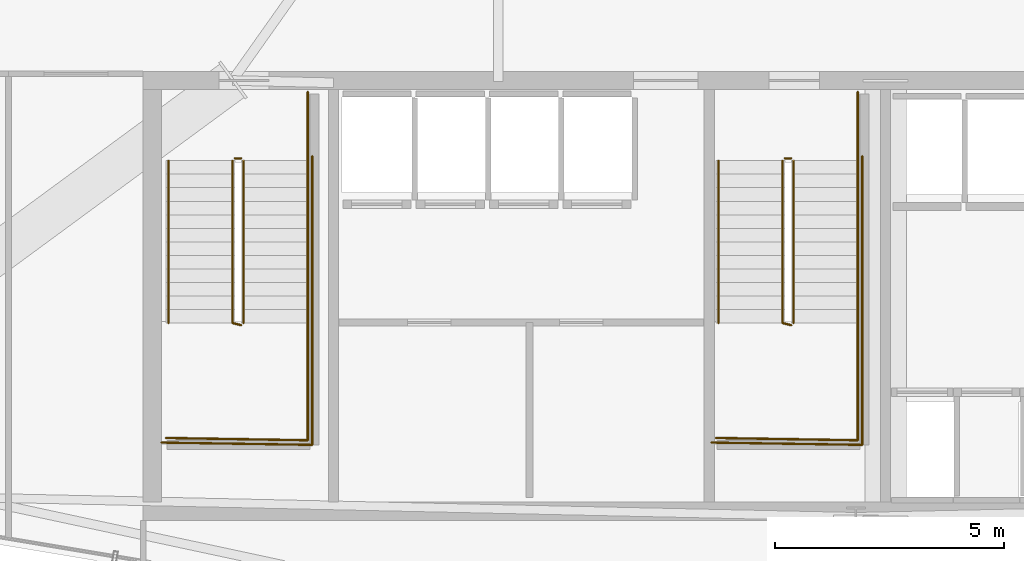
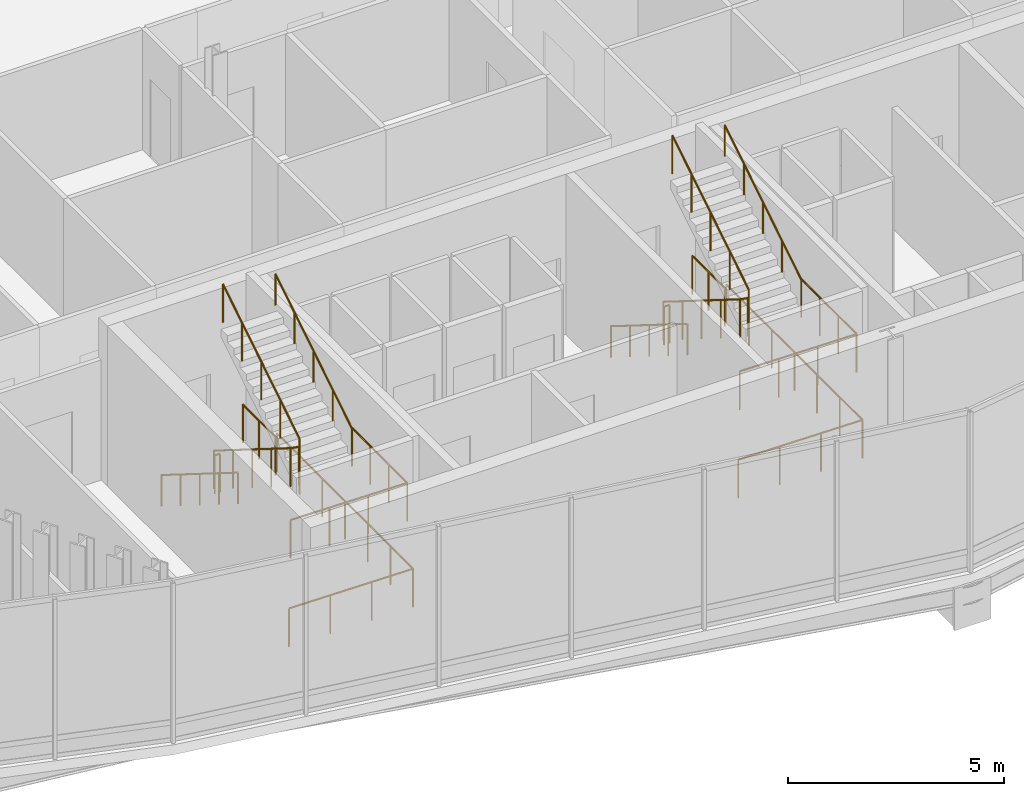
# One storey, part 27 of 29: 16 railings.
"""IFC4 building model written with IfcOpenShell, lengths in metres."""

from ifc_helpers import new_model, si_unit, direction, frame, origin, origin_2d, place, context, subcontext, project, spatial, circle, extrude, material, layer, layer_set, type_object, element, save


model = new_model("IFC4")

# Units and contexts
model_context = context("Model", 3, precision=1e-05, world=origin(), true_north=direction((0.0, 1.0)))
body_context = subcontext(model_context, "Body", "Model", "MODEL_VIEW")
ifc_project = project(units=[si_unit("LENGTHUNIT", "METRE"), si_unit("AREAUNIT", "SQUARE_METRE"), si_unit("VOLUMEUNIT", "CUBIC_METRE"), si_unit("PLANEANGLEUNIT", "RADIAN"), si_unit("MASSUNIT", "GRAM", prefix="KILO")], contexts=[model_context])

# Site, building, storey
site_placement = place(None, origin())
site = spatial("IfcSite", under=ifc_project, at=site_placement, CompositionType="ELEMENT")
building_placement = place(site_placement, origin())
building = spatial("IfcBuilding", under=site, at=building_placement, Name="Ndaravel Arena Tower", CompositionType="ELEMENT")
storey_placement = place(building_placement, frame((0.0, 0.0, 208.39990234375)))
storey = spatial("IfcBuildingStorey", under=building, at=storey_placement, Name="L50", CompositionType="ELEMENT", Elevation=208.39990234375)

# Railings
ifc_material_1 = material(Name="Steel S355", Category="steel")
ifc_layer_1 = layer(ifc_material_1, 0.06005859375)
ifc_layer_set_1 = layer_set([ifc_layer_1], Name="Steel S355")
railing_type_1 = type_object("IfcRailingType", Name="RAIL-STAIR-GD1100", PredefinedType="GUARDRAIL", material=ifc_layer_set_1)
railing_1_placement = place(storey_placement, frame((28.39990234375, 13.25, 0.184814453125)))
element("IfcRailing", 1, at=railing_1_placement, inside=storey, type_object=railing_type_1, Name="L50 ST-1 stair guard 1", PredefinedType="GUARDRAIL", context=body_context, shape_type="SweptSolid", body=[
    extrude(circle(Radius=0.02392578125, at=origin_2d()), frame((0.0, 0.0, 1.076171875), z_axis=(0.0, -0.847696004112, 0.530482313194), x_axis=(1.0, 0.0, 0.0)), (0.0, 0.0, 1.0), 4.176025390625),
    extrude(circle(Radius=0.02392578125, at=origin_2d()), frame((0.0, -3.5400390625, 3.29150390625), z_axis=(0.967074537263, -0.25449329928, 0.0), x_axis=(0.25449329928, 0.967074537263, 0.0)), (0.0, 0.0, 1.0), 0.19677734375),
    extrude(circle(Radius=0.02099609375, at=origin_2d()), origin(), (0.0, 0.0, 1.0), 1.052001953125),
    extrude(circle(Radius=0.02099609375, at=origin_2d()), frame((0.0, -0.885009765625, 0.5537109375)), (0.0, 0.0, 1.0), 1.052001953125),
    extrude(circle(Radius=0.02099609375, at=origin_2d()), frame((0.0, -1.77001953125, 1.107666015625)), (0.0, 0.0, 1.0), 1.052001953125),
    extrude(circle(Radius=0.02099609375, at=origin_2d()), frame((0.0, -2.655029296875, 1.66162109375)), (0.0, 0.0, 1.0), 1.052001953125),
    extrude(circle(Radius=0.02099609375, at=origin_2d()), frame((0.0, -3.5400390625, 2.21533203125)), (0.0, 0.0, 1.0), 1.052001953125),
    extrude(circle(Radius=0.02099609375, at=origin_2d()), frame((0.190185546875, -3.590087890625, 2.21533203125)), (0.0, 0.0, 1.0), 1.052001953125),
])
railing_2_placement = place(storey_placement, frame((30.0400390625, 9.7099609375, 2.400146484375)))
element("IfcRailing", 2, at=railing_2_placement, inside=storey, type_object=railing_type_1, Name="L50 ST-1 stair guard 2", PredefinedType="GUARDRAIL", context=body_context, shape_type="SweptSolid", body=[
    extrude(circle(Radius=0.02392578125, at=origin_2d()), frame((0.0, 0.0, 1.076171875), z_axis=(0.0, -1.0, 0.0), x_axis=(1.0, 0.0, 0.0)), (0.0, 0.0, 1.0), 2.56005859375),
    extrude(circle(Radius=0.02392578125, at=origin_2d()), frame((0.0, -2.56005859375, 1.076171875), z_axis=(-0.999868861343, 0.016194447071, 0.0), x_axis=(-0.016194447071, -0.999868861343, 0.0)), (0.0, 0.0, 1.0), 3.090576171875),
    extrude(circle(Radius=0.02099609375, at=origin_2d()), origin(), (0.0, 0.0, 1.0), 1.052001953125),
    extrude(circle(Radius=0.02099609375, at=origin_2d()), frame((0.0, -0.853271484375, 0.0)), (0.0, 0.0, 1.0), 1.052001953125),
    extrude(circle(Radius=0.02099609375, at=origin_2d()), frame((0.0, -1.706787109375, 0.0)), (0.0, 0.0, 1.0), 1.052001953125),
    extrude(circle(Radius=0.02099609375, at=origin_2d()), frame((0.0, -2.56005859375, 0.0)), (0.0, 0.0, 1.0), 1.052001953125),
    extrude(circle(Radius=0.02099609375, at=origin_2d()), frame((-1.030029296875, -2.54345703125, 0.0)), (0.0, 0.0, 1.0), 1.052001953125),
    extrude(circle(Radius=0.02099609375, at=origin_2d()), frame((-2.06005859375, -2.526611328125, 0.0)), (0.0, 0.0, 1.0), 1.052001953125),
    extrude(circle(Radius=0.02099609375, at=origin_2d()), frame((-3.090087890625, -2.510009765625, 0.0)), (0.0, 0.0, 1.0), 1.052001953125),
])
railing_3_placement = place(storey_placement, frame((28.639892578125, 9.7099609375, 2.584716796875)))
element("IfcRailing", 3, at=railing_3_placement, inside=storey, type_object=railing_type_1, Name="L50 ST-1 stair guard 3", PredefinedType="GUARDRAIL", context=body_context, shape_type="SweptSolid", body=[
    extrude(circle(Radius=0.02392578125, at=origin_2d()), frame((0.0, 0.0, 1.076171875), z_axis=(0.0, 0.847696004112, 0.530482313194), x_axis=(-1.0, 0.0, 0.0)), (0.0, 0.0, 1.0), 4.176025390625),
    extrude(circle(Radius=0.02099609375, at=origin_2d()), origin(), (0.0, 0.0, 1.0), 1.052001953125),
    extrude(circle(Radius=0.02099609375, at=origin_2d()), frame((0.0, 0.885009765625, 0.5537109375)), (0.0, 0.0, 1.0), 1.052001953125),
    extrude(circle(Radius=0.02099609375, at=origin_2d()), frame((0.0, 1.77001953125, 1.107666015625)), (0.0, 0.0, 1.0), 1.052001953125),
    extrude(circle(Radius=0.02099609375, at=origin_2d()), frame((0.0, 2.655029296875, 1.66162109375)), (0.0, 0.0, 1.0), 1.052001953125),
    extrude(circle(Radius=0.02099609375, at=origin_2d()), frame((0.0, 3.5400390625, 2.21533203125)), (0.0, 0.0, 1.0), 1.052001953125),
])
railing_4_placement = place(storey_placement, frame((28.449951171875, 13.300048828125, 0.0)))
element("IfcRailing", 4, at=railing_4_placement, inside=storey, type_object=railing_type_1, Name="L50 ST-1 stair guard 4", PredefinedType="GUARDRAIL", context=body_context, shape_type="SweptSolid", body=[
    extrude(circle(Radius=0.02392578125, at=origin_2d()), frame((0.0, 0.0, 1.076171875), z_axis=(1.0, 0.0, 0.0), x_axis=(0.0, 1.0, 0.0)), (0.0, 0.0, 1.0), 0.14013671875),
    extrude(circle(Radius=0.02099609375, at=origin_2d()), origin(), (0.0, 0.0, 1.0), 1.052001953125),
    extrude(circle(Radius=0.02099609375, at=origin_2d()), frame((0.14013671875, 0.0, 0.0)), (0.0, 0.0, 1.0), 1.052001953125),
])
railing_5_placement = place(storey_placement, frame((30.0400390625, 14.75, 0.0)))
element("IfcRailing", 5, at=railing_5_placement, inside=storey, type_object=railing_type_1, Name="L50 ST-1 stair guard 5", PredefinedType="GUARDRAIL", context=body_context, shape_type="SweptSolid", body=[
    extrude(circle(Radius=0.02392578125, at=origin_2d()), frame((0.0, 0.0, 1.076171875), z_axis=(0.0, -1.0, 0.0), x_axis=(1.0, 0.0, 0.0)), (0.0, 0.0, 1.0), 1.5),
    extrude(circle(Radius=0.02099609375, at=origin_2d()), origin(), (0.0, 0.0, 1.0), 1.052001953125),
    extrude(circle(Radius=0.02099609375, at=origin_2d()), frame((0.0, -0.75, 0.0)), (0.0, 0.0, 1.0), 1.052001953125),
    extrude(circle(Radius=0.02099609375, at=origin_2d()), frame((0.0, -1.5, 0.0)), (0.0, 0.0, 1.0), 1.052001953125),
])
railing_6_placement = place(storey_placement, frame((30.139892578125, 13.35009765625, 0.0)))
element("IfcRailing", 6, at=railing_6_placement, inside=storey, type_object=railing_type_1, Name="L50 ST-1 stair guard 6", PredefinedType="GUARDRAIL", context=body_context, shape_type="SweptSolid", body=[
    extrude(circle(Radius=0.02392578125, at=origin_2d()), frame((0.0, 0.0, 1.076171875), z_axis=(0.0, -1.0, 0.0), x_axis=(1.0, 0.0, 0.0)), (0.0, 0.0, 1.0), 6.300048828125),
    extrude(circle(Radius=0.02392578125, at=origin_2d()), frame((0.0, -6.300048828125, 1.076171875), z_axis=(-0.999884296952, 0.015211597839, 0.0), x_axis=(-0.015211597839, -0.999884296952, 0.0)), (0.0, 0.0, 1.0), 3.290283203125),
    extrude(circle(Radius=0.02099609375, at=origin_2d()), origin(), (0.0, 0.0, 1.0), 1.052001953125),
    extrude(circle(Radius=0.02099609375, at=origin_2d()), frame((0.0, -1.050048828125, 0.0)), (0.0, 0.0, 1.0), 1.052001953125),
    extrude(circle(Radius=0.02099609375, at=origin_2d()), frame((0.0, -2.10009765625, 0.0)), (0.0, 0.0, 1.0), 1.052001953125),
    extrude(circle(Radius=0.02099609375, at=origin_2d()), frame((0.0, -3.14990234375, 0.0)), (0.0, 0.0, 1.0), 1.052001953125),
    extrude(circle(Radius=0.02099609375, at=origin_2d()), frame((0.0, -4.199951171875, 0.0)), (0.0, 0.0, 1.0), 1.052001953125),
    extrude(circle(Radius=0.02099609375, at=origin_2d()), frame((0.0, -5.25, 0.0)), (0.0, 0.0, 1.0), 1.052001953125),
    extrude(circle(Radius=0.02099609375, at=origin_2d()), frame((0.0, -6.300048828125, 0.0)), (0.0, 0.0, 1.0), 1.052001953125),
    extrude(circle(Radius=0.02099609375, at=origin_2d()), frame((-1.0966796875, -6.283447265625, 0.0)), (0.0, 0.0, 1.0), 1.052001953125),
    extrude(circle(Radius=0.02099609375, at=origin_2d()), frame((-2.193115234375, -6.2666015625, 0.0)), (0.0, 0.0, 1.0), 1.052001953125),
    extrude(circle(Radius=0.02099609375, at=origin_2d()), frame((-3.289794921875, -6.25, 0.0)), (0.0, 0.0, 1.0), 1.052001953125),
])
railing_7_placement = place(storey_placement, frame((40.39990234375, 13.25, 0.184814453125)))
element("IfcRailing", 7, at=railing_7_placement, inside=storey, type_object=railing_type_1, Name="L50 ST-2 stair guard 1", PredefinedType="GUARDRAIL", context=body_context, shape_type="SweptSolid", body=[
    extrude(circle(Radius=0.02392578125, at=origin_2d()), frame((0.0, 0.0, 1.076171875), z_axis=(0.0, -0.847696004112, 0.530482313194), x_axis=(1.0, 0.0, 0.0)), (0.0, 0.0, 1.0), 4.176025390625),
    extrude(circle(Radius=0.02392578125, at=origin_2d()), frame((0.0, -3.5400390625, 3.29150390625), z_axis=(0.967074537263, -0.25449329928, 0.0), x_axis=(0.25449329928, 0.967074537263, 0.0)), (0.0, 0.0, 1.0), 0.19677734375),
    extrude(circle(Radius=0.02099609375, at=origin_2d()), origin(), (0.0, 0.0, 1.0), 1.052001953125),
    extrude(circle(Radius=0.02099609375, at=origin_2d()), frame((0.0, -0.885009765625, 0.5537109375)), (0.0, 0.0, 1.0), 1.052001953125),
    extrude(circle(Radius=0.02099609375, at=origin_2d()), frame((0.0, -1.77001953125, 1.107666015625)), (0.0, 0.0, 1.0), 1.052001953125),
    extrude(circle(Radius=0.02099609375, at=origin_2d()), frame((0.0, -2.655029296875, 1.66162109375)), (0.0, 0.0, 1.0), 1.052001953125),
    extrude(circle(Radius=0.02099609375, at=origin_2d()), frame((0.0, -3.5400390625, 2.21533203125)), (0.0, 0.0, 1.0), 1.052001953125),
    extrude(circle(Radius=0.02099609375, at=origin_2d()), frame((0.190185546875, -3.590087890625, 2.21533203125)), (0.0, 0.0, 1.0), 1.052001953125),
])
railing_8_placement = place(storey_placement, frame((42.0400390625, 9.7099609375, 2.400146484375)))
element("IfcRailing", 8, at=railing_8_placement, inside=storey, type_object=railing_type_1, Name="L50 ST-2 stair guard 2", PredefinedType="GUARDRAIL", context=body_context, shape_type="SweptSolid", body=[
    extrude(circle(Radius=0.02392578125, at=origin_2d()), frame((0.0, 0.0, 1.076171875), z_axis=(0.0, -1.0, 0.0), x_axis=(1.0, 0.0, 0.0)), (0.0, 0.0, 1.0), 2.56005859375),
    extrude(circle(Radius=0.02392578125, at=origin_2d()), frame((0.0, -2.56005859375, 1.076171875), z_axis=(-0.999868861343, 0.016194447071, 0.0), x_axis=(-0.016194447071, -0.999868861343, 0.0)), (0.0, 0.0, 1.0), 3.090576171875),
    extrude(circle(Radius=0.02099609375, at=origin_2d()), origin(), (0.0, 0.0, 1.0), 1.052001953125),
    extrude(circle(Radius=0.02099609375, at=origin_2d()), frame((0.0, -0.853271484375, 0.0)), (0.0, 0.0, 1.0), 1.052001953125),
    extrude(circle(Radius=0.02099609375, at=origin_2d()), frame((0.0, -1.706787109375, 0.0)), (0.0, 0.0, 1.0), 1.052001953125),
    extrude(circle(Radius=0.02099609375, at=origin_2d()), frame((0.0, -2.56005859375, 0.0)), (0.0, 0.0, 1.0), 1.052001953125),
    extrude(circle(Radius=0.02099609375, at=origin_2d()), frame((-1.030029296875, -2.54345703125, 0.0)), (0.0, 0.0, 1.0), 1.052001953125),
    extrude(circle(Radius=0.02099609375, at=origin_2d()), frame((-2.06005859375, -2.526611328125, 0.0)), (0.0, 0.0, 1.0), 1.052001953125),
    extrude(circle(Radius=0.02099609375, at=origin_2d()), frame((-3.090087890625, -2.510009765625, 0.0)), (0.0, 0.0, 1.0), 1.052001953125),
])
railing_9_placement = place(storey_placement, frame((40.639892578125, 9.7099609375, 2.584716796875)))
element("IfcRailing", 9, at=railing_9_placement, inside=storey, type_object=railing_type_1, Name="L50 ST-2 stair guard 3", PredefinedType="GUARDRAIL", context=body_context, shape_type="SweptSolid", body=[
    extrude(circle(Radius=0.02392578125, at=origin_2d()), frame((0.0, 0.0, 1.076171875), z_axis=(0.0, 0.847696004112, 0.530482313194), x_axis=(-1.0, 0.0, 0.0)), (0.0, 0.0, 1.0), 4.176025390625),
    extrude(circle(Radius=0.02099609375, at=origin_2d()), origin(), (0.0, 0.0, 1.0), 1.052001953125),
    extrude(circle(Radius=0.02099609375, at=origin_2d()), frame((0.0, 0.885009765625, 0.5537109375)), (0.0, 0.0, 1.0), 1.052001953125),
    extrude(circle(Radius=0.02099609375, at=origin_2d()), frame((0.0, 1.77001953125, 1.107666015625)), (0.0, 0.0, 1.0), 1.052001953125),
    extrude(circle(Radius=0.02099609375, at=origin_2d()), frame((0.0, 2.655029296875, 1.66162109375)), (0.0, 0.0, 1.0), 1.052001953125),
    extrude(circle(Radius=0.02099609375, at=origin_2d()), frame((0.0, 3.5400390625, 2.21533203125)), (0.0, 0.0, 1.0), 1.052001953125),
])
railing_10_placement = place(storey_placement, frame((40.449951171875, 13.300048828125, 0.0)))
element("IfcRailing", 10, at=railing_10_placement, inside=storey, type_object=railing_type_1, Name="L50 ST-2 stair guard 4", PredefinedType="GUARDRAIL", context=body_context, shape_type="SweptSolid", body=[
    extrude(circle(Radius=0.02392578125, at=origin_2d()), frame((0.0, 0.0, 1.076171875), z_axis=(1.0, 0.0, 0.0), x_axis=(0.0, 1.0, 0.0)), (0.0, 0.0, 1.0), 0.14013671875),
    extrude(circle(Radius=0.02099609375, at=origin_2d()), origin(), (0.0, 0.0, 1.0), 1.052001953125),
    extrude(circle(Radius=0.02099609375, at=origin_2d()), frame((0.14013671875, 0.0, 0.0)), (0.0, 0.0, 1.0), 1.052001953125),
])
railing_11_placement = place(storey_placement, frame((42.0400390625, 14.75, 0.0)))
element("IfcRailing", 11, at=railing_11_placement, inside=storey, type_object=railing_type_1, Name="L50 ST-2 stair guard 5", PredefinedType="GUARDRAIL", context=body_context, shape_type="SweptSolid", body=[
    extrude(circle(Radius=0.02392578125, at=origin_2d()), frame((0.0, 0.0, 1.076171875), z_axis=(0.0, -1.0, 0.0), x_axis=(1.0, 0.0, 0.0)), (0.0, 0.0, 1.0), 1.5),
    extrude(circle(Radius=0.02099609375, at=origin_2d()), origin(), (0.0, 0.0, 1.0), 1.052001953125),
    extrude(circle(Radius=0.02099609375, at=origin_2d()), frame((0.0, -0.75, 0.0)), (0.0, 0.0, 1.0), 1.052001953125),
    extrude(circle(Radius=0.02099609375, at=origin_2d()), frame((0.0, -1.5, 0.0)), (0.0, 0.0, 1.0), 1.052001953125),
])
railing_12_placement = place(storey_placement, frame((42.139892578125, 13.35009765625, 0.0)))
element("IfcRailing", 12, at=railing_12_placement, inside=storey, type_object=railing_type_1, Name="L50 ST-2 stair guard 6", PredefinedType="GUARDRAIL", context=body_context, shape_type="SweptSolid", body=[
    extrude(circle(Radius=0.02392578125, at=origin_2d()), frame((0.0, 0.0, 1.076171875), z_axis=(0.0, -1.0, 0.0), x_axis=(1.0, 0.0, 0.0)), (0.0, 0.0, 1.0), 6.300048828125),
    extrude(circle(Radius=0.02392578125, at=origin_2d()), frame((0.0, -6.300048828125, 1.076171875), z_axis=(-0.999884296952, 0.015211597839, 0.0), x_axis=(-0.015211597839, -0.999884296952, 0.0)), (0.0, 0.0, 1.0), 3.290283203125),
    extrude(circle(Radius=0.02099609375, at=origin_2d()), origin(), (0.0, 0.0, 1.0), 1.052001953125),
    extrude(circle(Radius=0.02099609375, at=origin_2d()), frame((0.0, -1.050048828125, 0.0)), (0.0, 0.0, 1.0), 1.052001953125),
    extrude(circle(Radius=0.02099609375, at=origin_2d()), frame((0.0, -2.10009765625, 0.0)), (0.0, 0.0, 1.0), 1.052001953125),
    extrude(circle(Radius=0.02099609375, at=origin_2d()), frame((0.0, -3.14990234375, 0.0)), (0.0, 0.0, 1.0), 1.052001953125),
    extrude(circle(Radius=0.02099609375, at=origin_2d()), frame((0.0, -4.199951171875, 0.0)), (0.0, 0.0, 1.0), 1.052001953125),
    extrude(circle(Radius=0.02099609375, at=origin_2d()), frame((0.0, -5.25, 0.0)), (0.0, 0.0, 1.0), 1.052001953125),
    extrude(circle(Radius=0.02099609375, at=origin_2d()), frame((0.0, -6.300048828125, 0.0)), (0.0, 0.0, 1.0), 1.052001953125),
    extrude(circle(Radius=0.02099609375, at=origin_2d()), frame((-1.0966796875, -6.283447265625, 0.0)), (0.0, 0.0, 1.0), 1.052001953125),
    extrude(circle(Radius=0.02099609375, at=origin_2d()), frame((-2.193115234375, -6.2666015625, 0.0)), (0.0, 0.0, 1.0), 1.052001953125),
    extrude(circle(Radius=0.02099609375, at=origin_2d()), frame((-3.289794921875, -6.25, 0.0)), (0.0, 0.0, 1.0), 1.052001953125),
])
ifc_material_2 = material(Name="Steel S355", Category="steel")
ifc_layer_2 = layer(ifc_material_2, 0.050048828125)
ifc_layer_set_2 = layer_set([ifc_layer_2], Name="Steel S355")
railing_type_2 = type_object("IfcRailingType", Name="RAIL-STAIR-HR920", PredefinedType="HANDRAIL", material=ifc_layer_set_2)
railing_13_placement = place(storey_placement, frame((27.0, 13.25, 0.184814453125)))
element("IfcRailing", 13, at=railing_13_placement, inside=storey, type_object=railing_type_2, Name="L50 ST-1 stair handrail 1", PredefinedType="HANDRAIL", context=body_context, shape_type="SweptSolid", body=[
    extrude(circle(Radius=0.02392578125, at=origin_2d()), frame((0.0, 0.0, 0.8759765625), z_axis=(0.0, -0.847696004112, 0.530482313194), x_axis=(1.0, 0.0, 0.0)), (0.0, 0.0, 1.0), 4.176025390625),
    extrude(circle(Radius=0.02099609375, at=origin_2d()), origin(), (0.0, 0.0, 1.0), 0.851806640625),
    extrude(circle(Radius=0.02099609375, at=origin_2d()), frame((0.0, -0.885009765625, 0.5537109375)), (0.0, 0.0, 1.0), 0.851806640625),
    extrude(circle(Radius=0.02099609375, at=origin_2d()), frame((0.0, -1.77001953125, 1.107666015625)), (0.0, 0.0, 1.0), 0.851806640625),
    extrude(circle(Radius=0.02099609375, at=origin_2d()), frame((0.0, -2.655029296875, 1.66162109375)), (0.0, 0.0, 1.0), 0.851806640625),
    extrude(circle(Radius=0.02099609375, at=origin_2d()), frame((0.0, -3.5400390625, 2.21533203125)), (0.0, 0.0, 1.0), 0.851806640625),
])
railing_14_placement = place(storey_placement, frame((30.0400390625, 9.7099609375, 2.584716796875)))
element("IfcRailing", 14, at=railing_14_placement, inside=storey, type_object=railing_type_2, Name="L50 ST-1 stair handrail 2", PredefinedType="HANDRAIL", context=body_context, shape_type="SweptSolid", body=[
    extrude(circle(Radius=0.02392578125, at=origin_2d()), frame((0.0, 0.0, 0.8759765625), z_axis=(0.0, 0.847696004112, 0.530482313194), x_axis=(-1.0, 0.0, 0.0)), (0.0, 0.0, 1.0), 4.176025390625),
    extrude(circle(Radius=0.02099609375, at=origin_2d()), origin(), (0.0, 0.0, 1.0), 0.851806640625),
    extrude(circle(Radius=0.02099609375, at=origin_2d()), frame((0.0, 0.885009765625, 0.5537109375)), (0.0, 0.0, 1.0), 0.851806640625),
    extrude(circle(Radius=0.02099609375, at=origin_2d()), frame((0.0, 1.77001953125, 1.107666015625)), (0.0, 0.0, 1.0), 0.851806640625),
    extrude(circle(Radius=0.02099609375, at=origin_2d()), frame((0.0, 2.655029296875, 1.66162109375)), (0.0, 0.0, 1.0), 0.851806640625),
    extrude(circle(Radius=0.02099609375, at=origin_2d()), frame((0.0, 3.5400390625, 2.21533203125)), (0.0, 0.0, 1.0), 0.851806640625),
])
railing_15_placement = place(storey_placement, frame((39.0, 13.25, 0.184814453125)))
element("IfcRailing", 15, at=railing_15_placement, inside=storey, type_object=railing_type_2, Name="L50 ST-2 stair handrail 1", PredefinedType="HANDRAIL", context=body_context, shape_type="SweptSolid", body=[
    extrude(circle(Radius=0.02392578125, at=origin_2d()), frame((0.0, 0.0, 0.8759765625), z_axis=(0.0, -0.847696004112, 0.530482313194), x_axis=(1.0, 0.0, 0.0)), (0.0, 0.0, 1.0), 4.176025390625),
    extrude(circle(Radius=0.02099609375, at=origin_2d()), origin(), (0.0, 0.0, 1.0), 0.851806640625),
    extrude(circle(Radius=0.02099609375, at=origin_2d()), frame((0.0, -0.885009765625, 0.5537109375)), (0.0, 0.0, 1.0), 0.851806640625),
    extrude(circle(Radius=0.02099609375, at=origin_2d()), frame((0.0, -1.77001953125, 1.107666015625)), (0.0, 0.0, 1.0), 0.851806640625),
    extrude(circle(Radius=0.02099609375, at=origin_2d()), frame((0.0, -2.655029296875, 1.66162109375)), (0.0, 0.0, 1.0), 0.851806640625),
    extrude(circle(Radius=0.02099609375, at=origin_2d()), frame((0.0, -3.5400390625, 2.21533203125)), (0.0, 0.0, 1.0), 0.851806640625),
])
railing_16_placement = place(storey_placement, frame((42.0400390625, 9.7099609375, 2.584716796875)))
element("IfcRailing", 16, at=railing_16_placement, inside=storey, type_object=railing_type_2, Name="L50 ST-2 stair handrail 2", PredefinedType="HANDRAIL", context=body_context, shape_type="SweptSolid", body=[
    extrude(circle(Radius=0.02392578125, at=origin_2d()), frame((0.0, 0.0, 0.8759765625), z_axis=(0.0, 0.847696004112, 0.530482313194), x_axis=(-1.0, 0.0, 0.0)), (0.0, 0.0, 1.0), 4.176025390625),
    extrude(circle(Radius=0.02099609375, at=origin_2d()), origin(), (0.0, 0.0, 1.0), 0.851806640625),
    extrude(circle(Radius=0.02099609375, at=origin_2d()), frame((0.0, 0.885009765625, 0.5537109375)), (0.0, 0.0, 1.0), 0.851806640625),
    extrude(circle(Radius=0.02099609375, at=origin_2d()), frame((0.0, 1.77001953125, 1.107666015625)), (0.0, 0.0, 1.0), 0.851806640625),
    extrude(circle(Radius=0.02099609375, at=origin_2d()), frame((0.0, 2.655029296875, 1.66162109375)), (0.0, 0.0, 1.0), 0.851806640625),
    extrude(circle(Radius=0.02099609375, at=origin_2d()), frame((0.0, 3.5400390625, 2.21533203125)), (0.0, 0.0, 1.0), 0.851806640625),
])

save(model, "model.ifc")
